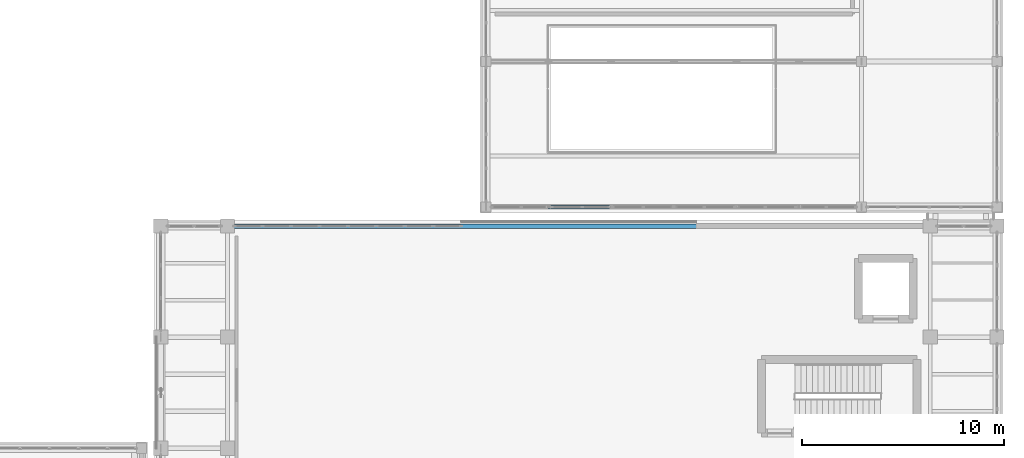
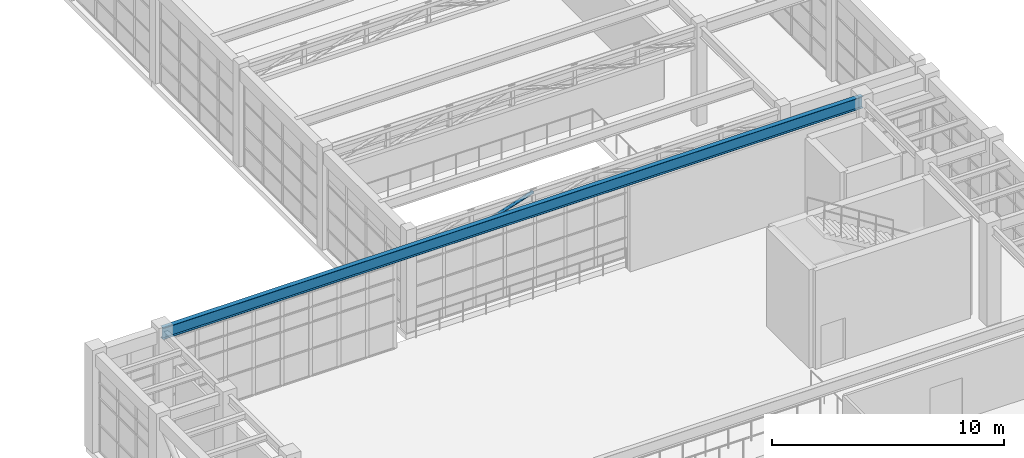
# One storey, part 45 of 103: 1 beam, 1 member.
"""IFC4 building model written with IfcOpenShell, lengths in metres."""

from ifc_helpers import new_model, si_unit, direction, frame, origin, origin_2d, place, context, subcontext, project, spatial, hollow_circle, i_section, extrude, material, material_profile, profile_set, type_object, element, save


model = new_model("IFC4")

# Units and contexts
model_context = context("Model", 3, precision=1e-05, world=origin(), true_north=direction((0.0, 1.0)))
body_context = subcontext(model_context, "Body", "Model", "MODEL_VIEW")
ifc_project = project(units=[si_unit("LENGTHUNIT", "METRE"), si_unit("AREAUNIT", "SQUARE_METRE"), si_unit("VOLUMEUNIT", "CUBIC_METRE"), si_unit("PLANEANGLEUNIT", "RADIAN"), si_unit("MASSUNIT", "GRAM", prefix="KILO")], contexts=[model_context])

# Site, building, storey
site_placement = place(None, origin())
site = spatial("IfcSite", under=ifc_project, at=site_placement, CompositionType="ELEMENT")
building_placement = place(site_placement, origin())
building = spatial("IfcBuilding", under=site, at=building_placement, Name="Candilejo Ridge Gondola Terminal", CompositionType="ELEMENT")
storey_placement = place(building_placement, frame((0.0, 0.0, 9.0)))
storey = spatial("IfcBuildingStorey", under=building, at=storey_placement, Name="L02", CompositionType="ELEMENT", Elevation=9.0)

# Beam
ifc_material_1 = material(Name="Steel ASTM A992 Grade 50", Category="steel")
ifc_material_profile_1 = material_profile(ifc_material_1, i_section(OverallWidth=0.22802734375, OverallDepth=0.60302734375, WebThickness=0.010498046875, FlangeThickness=0.014892578125, at=origin_2d()))
ifc_profile_set_1 = profile_set([ifc_material_profile_1], Name="Steel ASTM A992 Grade 50")
beam_type = type_object("IfcBeamType", Name="STR-BM-W610X101", PredefinedType="BEAM", material=ifc_profile_set_1)
beam_placement = place(storey_placement, frame((137.199951171875, 47.699951171875, 4.8583984375), z_axis=(1.0, 0.0, 0.0), x_axis=(0.0, 1.0, 0.0)))
element("IfcBeam", 1, at=beam_placement, inside=storey, type_object=beam_type, Name="Beam X V4 L02 X22-X26@Y09", PredefinedType="BEAM", context=body_context, shape_type="SweptSolid", body=[
    extrude(i_section(OverallWidth=0.22802734375, OverallDepth=0.60302734375, WebThickness=0.010498046875, FlangeThickness=0.014892578125, at=origin_2d()), origin(), (0.0, 0.0, 1.0), 34.800048828125),
])

# Member
ifc_material_2 = material(Name="Steel ASTM A500 Grade C", Category="steel")
ifc_material_profile_2 = material_profile(ifc_material_2, hollow_circle(Radius=0.084228515625, WallThickness=0.007080078125, at=origin_2d()))
ifc_profile_set_2 = profile_set([ifc_material_profile_2], Name="Steel ASTM A500 Grade C")
member_type = type_object("IfcMemberType", Name="STR-BRC-CHS168", PredefinedType="BRACE", material=ifc_profile_set_2)
member_placement = place(storey_placement, frame((153.10009765625, 48.64990234375, 4.050048828125), z_axis=(0.951704378929, 0.0, 0.307015919989), x_axis=(0.0, 1.0, 0.0)))
element("IfcMember", 2, at=member_placement, inside=storey, type_object=member_type, Name="Garage truss diagonal 01-02", PredefinedType="BRACE", context=body_context, shape_type="SweptSolid", body=[
    extrude(hollow_circle(Radius=0.084228515625, WallThickness=0.007080078125, at=origin_2d()), origin(), (0.0, 0.0, 1.0), 3.257080078125),
])

save(model, "model.ifc")
